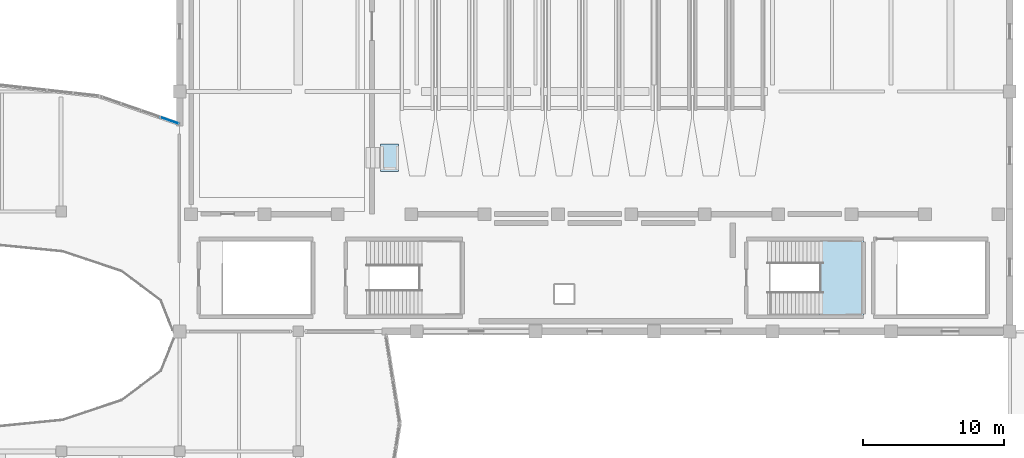
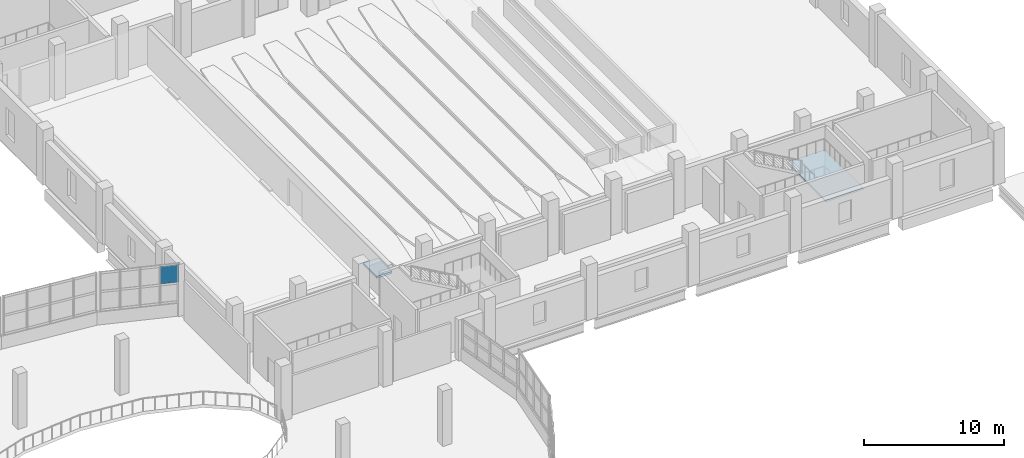
# One storey, part 87 of 117: 2 slabs, 1 plate, 2 elements without a shape of their own.
"""IFC4 building model written with IfcOpenShell, lengths in metres."""

from ifc_helpers import new_model, si_unit, direction, frame, origin, origin_2d, place, context, subcontext, project, spatial, polyline, rectangle, outline, extrude, material, layer, layer_set, type_object, element, aggregate, save


model = new_model("IFC4")

# Units and contexts
model_context = context("Model", 3, precision=1e-05, world=origin(), true_north=direction((0.0, 1.0)))
body_context = subcontext(model_context, "Body", "Model", "MODEL_VIEW")
ifc_project = project(units=[si_unit("LENGTHUNIT", "METRE"), si_unit("AREAUNIT", "SQUARE_METRE"), si_unit("VOLUMEUNIT", "CUBIC_METRE"), si_unit("PLANEANGLEUNIT", "RADIAN"), si_unit("MASSUNIT", "GRAM", prefix="KILO")], contexts=[model_context])

# Site, building, storey
site_placement = place(None, origin())
site = spatial("IfcSite", under=ifc_project, at=site_placement, CompositionType="ELEMENT")
building_placement = place(site_placement, origin())
building = spatial("IfcBuilding", under=site, at=building_placement, Name="Solvento Point Concert Hall", CompositionType="ELEMENT")
storey_placement = place(building_placement, frame((0.0, 0.0, 5.39990234375)))
storey = spatial("IfcBuildingStorey", under=building, at=storey_placement, Name="L01", CompositionType="ELEMENT", Elevation=5.39990234375)

# Curtain wall, plate
ifc_material_1 = material(Name="Anodized Bronze Aluminium", Category="aluminium")
curtain_wall_type = type_object("IfcCurtainWallType", Name="CurtainWall_RingRibbon_L01_02", PredefinedType="USERDEFINED", material=ifc_material_1)
curtain_wall_placement = place(storey_placement, origin())
curtain_wall = element("IfcCurtainWall", 1, at=curtain_wall_placement, inside=storey, type_object=curtain_wall_type, Name="Unitised curtain wall CW-59 UCW-L01-105", ObjectType="UNITISED CURTAIN WALL", PredefinedType="USERDEFINED")
ifc_material_2 = material(Name="Hurricane Laminated Low-E Glass", Category="glass")
plate_type = type_object("IfcPlateType", Name="CurtainPanel_RingLower", PredefinedType="CURTAIN_PANEL", material=ifc_material_2)
plate_placement = place(storey_placement, frame((73.682861328125, 57.4462890625, 2.88525390625), z_axis=(0.0, 0.0, 1.0), x_axis=(0.945270556365, -0.326287565301, 0.0)))
plate = element("IfcPlate", 2, at=plate_placement, type_object=plate_type, Name="Glazed curtain panel GL-02", PredefinedType="CURTAIN_PANEL", context=body_context, shape_type="SweptSolid", body=[
    extrude(rectangle(XDim=1.337158203125, YDim=0.0439453125, at=origin_2d()), origin(), (0.0, 0.0, 1.0), 1.52490234375),
])
aggregate(curtain_wall, [plate])

# Stair, slab
ifc_material_3 = material(Name="Concrete C35/45", Category="concrete")
stair_type = type_object("IfcStairType", Name="CoreStair_1600", PredefinedType="HALF_TURN_STAIR", material=ifc_material_3)
stair_placement = place(storey_placement, origin())
stair = element("IfcStair", 3, at=stair_placement, inside=storey, type_object=stair_type, Name="Protected exit stair ST-07 (L01 to L02)", PredefinedType="HALF_TURN_STAIR")
ifc_material_4 = material(Name="Concrete C35/45", Category="concrete")
ifc_layer = layer(ifc_material_4, 0.179931640625)
ifc_layer_set = layer_set([ifc_layer], Name="Concrete C35/45")
slab_type = type_object("IfcSlabType", Name="StairLanding_180", PredefinedType="LANDING", material=ifc_layer_set)
slab_1_placement = place(storey_placement, frame((0.0, 0.0, 2.22021484375)))
slab_1 = element("IfcSlab", 4, at=slab_1_placement, type_object=slab_type, Name="Stair half-landing ST-07 L01", PredefinedType="LANDING", context=body_context, shape_type="SweptSolid", body=[
    extrude(outline(polyline([(119.719970703125, 43.56005859375), (122.840087890625, 43.56005859375), (122.840087890625, 49.0400390625), (119.719970703125, 49.0400390625), (119.719970703125, 43.56005859375)])), origin(), (0.0, 0.0, 1.0), 0.179931640625),
])
aggregate(stair, [slab_1])

# Slab
slab_2_placement = place(storey_placement, frame((0.0, 0.0, 0.22509765625)))
element("IfcSlab", 5, at=slab_2_placement, inside=storey, type_object=slab_type, Name="Aisle stair arrival landing ST-ASL-01", PredefinedType="LANDING", context=body_context, shape_type="SweptSolid", body=[
    extrude(outline(polyline([(88.639892578125, 53.824951171875), (89.909912109375, 53.824951171875), (89.909912109375, 55.77490234375), (88.639892578125, 55.77490234375), (88.639892578125, 53.824951171875)])), origin(), (0.0, 0.0, 1.0), 0.179931640625),
])

save(model, "model.ifc")
